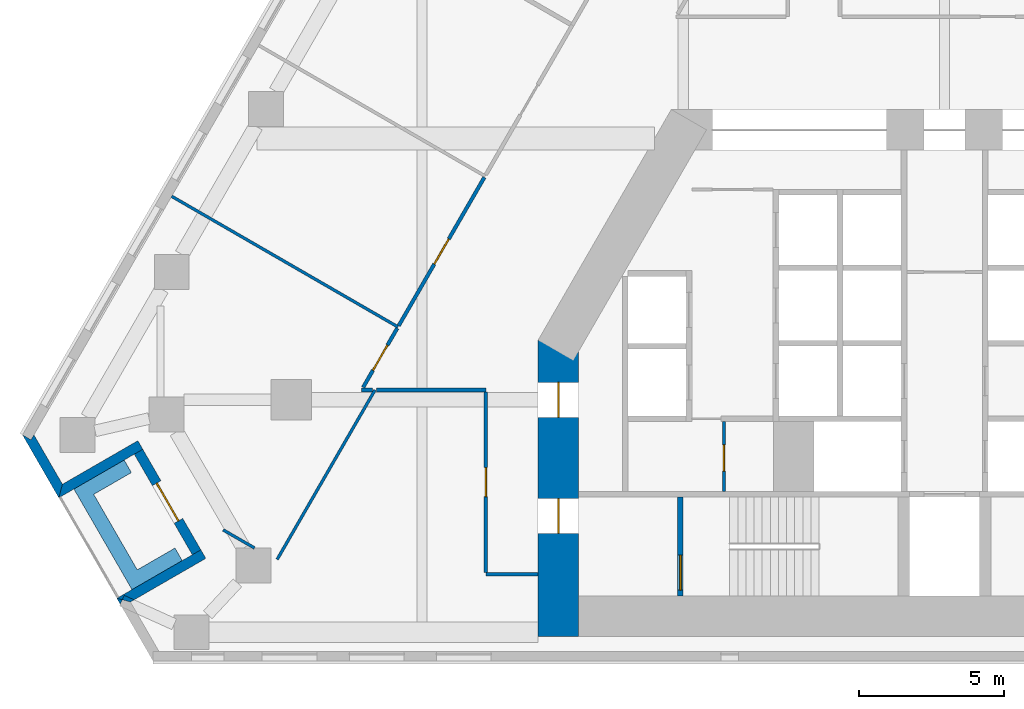
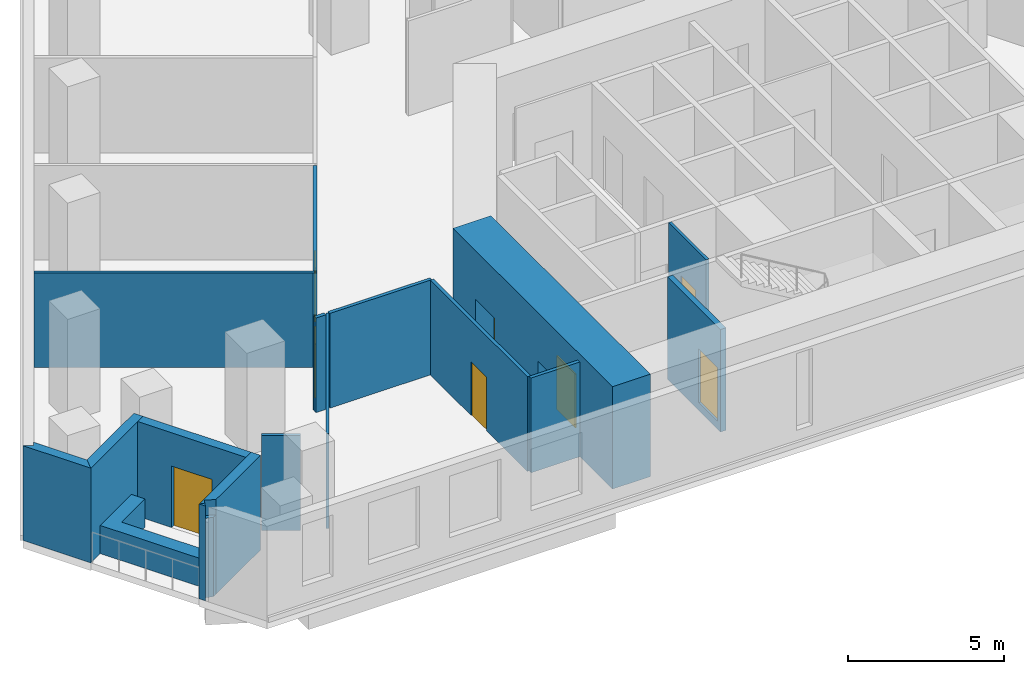
# One storey, part 3 of 11: 19 walls, 8 doors, 8 openings.
"""IFC4 building model written with IfcOpenShell, lengths in metres."""

from ifc_helpers import new_model, si_unit, direction, frame, frame_2d, origin, place, context, subcontext, project, spatial, polyline, rectangle, outline, extrude, material, layer, layer_set, type_object, element, fill, save


model = new_model("IFC4")

# Units and contexts
model_context = context("Model", 3, precision=1e-05, world=origin(), true_north=direction((0.0, 1.0)))
body_context = subcontext(model_context, "Body", "Model", "MODEL_VIEW")
ifc_project = project(units=[si_unit("LENGTHUNIT", "METRE"), si_unit("AREAUNIT", "SQUARE_METRE"), si_unit("VOLUMEUNIT", "CUBIC_METRE"), si_unit("PLANEANGLEUNIT", "RADIAN"), si_unit("MASSUNIT", "GRAM", prefix="KILO")], contexts=[model_context])

# Site, building, storey
site_placement = place(None, origin())
site = spatial("IfcSite", under=ifc_project, at=site_placement, CompositionType="ELEMENT")
building_placement = place(site_placement, origin())
building = spatial("IfcBuilding", under=site, at=building_placement, Name="Fogline Exchange Tower", CompositionType="ELEMENT")
storey_placement = place(building_placement, frame((0.0, 0.0, 52.89990234375)))
storey = spatial("IfcBuildingStorey", under=building, at=storey_placement, Name="L10", CompositionType="ELEMENT", Elevation=52.89990234375)

# Wall, opening, door
ifc_material_1 = material(Name="Blockwork partition", Category="masonry")
ifc_layer_1 = layer(ifc_material_1, 0.10009765625)
ifc_layer_set_1 = layer_set([ifc_layer_1], Name="CW10")
wall_type_1 = type_object("IfcWallType", Name="CW10", PredefinedType="PARTITIONING", material=ifc_layer_set_1)
wall_1_placement = place(storey_placement, frame((-7.60009765625, 5.85009765625, 0.0), z_axis=(0.0, 0.0, 1.0), x_axis=(0.0, 1.0, 0.0)))
wall_1 = element("IfcWall", 1, at=wall_1_placement, inside=storey, type_object=wall_type_1, Name="WC partition", PredefinedType="PARTITIONING", context=body_context, shape_type="SweptSolid", body=[
    extrude(rectangle(XDim=2.39990234375, YDim=0.10009765625, at=frame_2d((1.199951171875, 0.0))), origin(), (0.0, 0.0, 1.0), 3.7001953125),
])
opening_1_placement = place(wall_1_placement, frame((0.699951171875, 0.0, 0.0)))
opening_1 = element("IfcOpeningElement", 2, at=opening_1_placement, cuts=wall_1, Name="Opening T03-C009", PredefinedType="OPENING", context=body_context, shape_type="SweptSolid", body=[
    extrude(rectangle(XDim=0.89990234375, YDim=2.10009765625, at=frame_2d((0.449951171875, 1.050048828125))), frame((0.0, 0.06005859375, 0.0), z_axis=(0.0, -1.0, 0.0), x_axis=(1.0, 0.0, 0.0)), (0.0, 0.0, 1.0), 0.1201171875),
])
ifc_material_2 = material(Name="Steel and timber fire door", Category="steel")
door_type_1 = type_object("IfcDoorType", Name="D-CS1", OperationType="SINGLE_SWING_RIGHT", PredefinedType="DOOR", material=ifc_material_2)
door_1_placement = place(opening_1_placement, frame((0.89990234375, 0.0, 0.0), z_axis=(0.0, 0.0, 1.0), x_axis=(-1.0, 0.0, 0.0)))
door_1 = element("IfcDoor", 3, at=door_1_placement, inside=storey, type_object=door_type_1, Name="Door to Cleaner's Store", OperationType="SINGLE_SWING_RIGHT", OverallHeight=2.10009765625, OverallWidth=0.89990234375, PredefinedType="DOOR", context=body_context, shape_type="SweptSolid", body=[
    extrude(rectangle(XDim=0.89990234375, YDim=2.10009765625, at=frame_2d((0.449951171875, 1.050048828125))), frame((0.0, 0.02490234375, 0.0), z_axis=(0.0, -1.0, 0.0), x_axis=(1.0, 0.0, 0.0)), (0.0, 0.0, 1.0), 0.050048828125),
])
fill(opening_1, door_1)

ifc_material_3 = material(Name="Concrete C40", Category="concrete")
ifc_layer_2 = layer(ifc_material_3, 0.199951171875)
ifc_layer_set_2 = layer_set([ifc_layer_2], Name="CW20R")
wall_type_2 = type_object("IfcWallType", Name="CW20R", PredefinedType="SOLIDWALL", material=ifc_layer_set_2)
wall_2_placement = place(storey_placement, frame((-9.10009765625, 2.25, -0.2998046875), z_axis=(0.0, 0.0, 1.0), x_axis=(0.0, 1.0, 0.0)))
wall_2 = element("IfcWall", 4, at=wall_2_placement, inside=storey, type_object=wall_type_2, Name="Stair enclosure wall", PredefinedType="SOLIDWALL", context=body_context, shape_type="SweptSolid", body=[
    extrude(rectangle(XDim=3.39990234375, YDim=0.199951171875, at=frame_2d((1.699951171875, 0.0))), origin(), (0.0, 0.0, 1.0), 4.0),
])
opening_2_placement = place(wall_2_placement, frame((0.199951171875, 0.0, 0.300048828125)))
opening_2 = element("IfcOpeningElement", 5, at=opening_2_placement, cuts=wall_2, Name="Opening T03-C011", PredefinedType="OPENING", context=body_context, shape_type="SweptSolid", body=[
    extrude(rectangle(XDim=1.199951171875, YDim=2.10009765625, at=frame_2d((0.60009765625, 1.050048828125))), frame((0.0, 0.10986328125, 0.0), z_axis=(0.0, -1.0, 0.0), x_axis=(1.0, 0.0, 0.0)), (0.0, 0.0, 1.0), 0.219970703125),
])
door_type_2 = type_object("IfcDoorType", Name="D-ST1", OperationType="SINGLE_SWING_LEFT", PredefinedType="DOOR", material=ifc_material_2)
door_2_placement = place(opening_2_placement, frame((1.199951171875, 0.0, 0.0), z_axis=(0.0, 0.0, 1.0), x_axis=(-1.0, 0.0, 0.0)))
door_2 = element("IfcDoor", 6, at=door_2_placement, inside=storey, type_object=door_type_2, Name="Stair door ST1", OperationType="SINGLE_SWING_RIGHT", OverallHeight=2.10009765625, OverallWidth=1.199951171875, PredefinedType="DOOR", context=body_context, shape_type="SweptSolid", body=[
    extrude(rectangle(XDim=1.199951171875, YDim=2.10009765625, at=frame_2d((0.60009765625, 1.050048828125))), frame((0.0, 0.02490234375, 0.0), z_axis=(0.0, -1.0, 0.0), x_axis=(1.0, 0.0, 0.0)), (0.0, 0.0, 1.0), 0.050048828125),
])
fill(opening_2, door_2)

# Walls
ifc_material_4 = material(Name="Brick masonry", Category="masonry")
ifc_layer_3 = layer(ifc_material_4, 0.340087890625)
ifc_layer_set_3 = layer_set([ifc_layer_3], Name="FW1")
wall_type_3 = type_object("IfcWallType", Name="FW1", PredefinedType="SOLIDWALL", material=ifc_layer_set_3)
wall_3_placement = place(storey_placement, origin())
element("IfcWall", 7, at=wall_3_placement, inside=storey, type_object=wall_type_3, Name="Brick wall L10 SW-c1", PredefinedType="SOLIDWALL", context=body_context, shape_type="SweptSolid", body=[
    extrude(outline(polyline([(-30.505126953125, 5.6279296875), (-31.75634765625, 7.794921875), (-31.755859375, 7.79541015625), (-31.4609375, 7.625), (-31.362548828125, 7.79541015625), (-30.380126953125, 6.09375), (-30.5048828125, 5.6279296875), (-30.505126953125, 5.6279296875)])), origin(), (0.0, 0.0, 1.0), 3.7001953125),
])
wall_4_placement = place(storey_placement, origin())
element("IfcWall", 8, at=wall_4_placement, inside=storey, type_object=wall_type_3, Name="Brick wall L10 SW-s1", PredefinedType="SOLIDWALL", context=body_context, shape_type="SweptSolid", body=[
    extrude(outline(polyline([(-27.782470703125, 7.594482421875), (-27.61181640625, 7.298828125), (-27.90673828125, 7.128662109375), (-30.505859375, 5.628173828125), (-30.506103515625, 5.62841796875), (-30.38134765625, 6.093994140625), (-27.782470703125, 7.594482421875)])), origin(), (0.0, 0.0, 1.0), 3.7001953125),
])

# Wall, opening, door
wall_5_placement = place(storey_placement, frame((-27.760009765625, 7.214111328125, 0.0), z_axis=(0.0, 0.0, 1.0), x_axis=(0.49999894854, -0.866026010844, 0.0)))
wall_5 = element("IfcWall", 9, at=wall_5_placement, inside=storey, type_object=wall_type_3, Name="Brick wall L10 SW-bk", PredefinedType="SOLIDWALL", context=body_context, shape_type="SweptSolid", body=[
    extrude(rectangle(XDim=4.0, YDim=0.340087890625, at=frame_2d((2.0, 0.0))), origin(), (0.0, 0.0, 1.0), 3.7001953125),
])
opening_3_placement = place(wall_5_placement, frame((1.25, 0.0, 0.0)))
opening_3 = element("IfcOpeningElement", 10, at=opening_3_placement, cuts=wall_5, Name="Opening T03-E021", PredefinedType="OPENING", context=body_context, shape_type="SweptSolid", body=[
    extrude(rectangle(XDim=1.5, YDim=2.39990234375, at=frame_2d((0.75, 1.199951171875))), frame((0.0, 0.18017578125, 0.0), z_axis=(0.0, -1.0, 0.0), x_axis=(1.0, 0.0, 0.0)), (0.0, 0.0, 1.0), 0.360107421875),
])
ifc_material_5 = material(Name="Aluminium and glass", Category="aluminium")
door_type_3 = type_object("IfcDoorType", Name="ED4", OperationType="SINGLE_SWING_LEFT", PredefinedType="DOOR", material=ifc_material_5)
door_3_placement = place(opening_3_placement, frame((1.5, 0.0, 0.0), z_axis=(0.0, 0.0, 1.0), x_axis=(-1.0, 0.0, 0.0)))
door_3 = element("IfcDoor", 11, at=door_3_placement, inside=storey, type_object=door_type_3, Name="Balcony door L10 SW", OperationType="DOUBLE_DOOR_SINGLE_SWING", OverallHeight=2.39990234375, OverallWidth=1.5, PredefinedType="DOOR", context=body_context, shape_type="SweptSolid", body=[
    extrude(rectangle(XDim=1.5, YDim=2.39990234375, at=frame_2d((0.75, 1.199951171875))), frame((0.0, 0.02490234375, 0.0), z_axis=(0.0, -1.0, 0.0), x_axis=(1.0, 0.0, 0.0)), (0.0, 0.0, 1.0), 0.050048828125),
])
fill(opening_3, door_3)

# Walls
wall_6_placement = place(storey_placement, origin())
element("IfcWall", 12, at=wall_6_placement, inside=storey, type_object=wall_type_3, Name="Brick wall L10 SW-s2", PredefinedType="SOLIDWALL", context=body_context, shape_type="SweptSolid", body=[
    extrude(outline(polyline([(-28.040771484375, 2.0400390625), (-28.321044921875, 2.114990234375), (-28.25146484375, 2.2685546875), (-27.911376953125, 2.11474609375), (-28.040771484375, 2.0400390625)])), origin(), (0.0, 0.0, 1.0), 3.10009765625),
])
wall_7_placement = place(storey_placement, origin())
element("IfcWall", 13, at=wall_7_placement, inside=storey, type_object=wall_type_3, Name="Brick wall L10 SW-s2", PredefinedType="SOLIDWALL", context=body_context, shape_type="SweptSolid", body=[
    extrude(outline(polyline([(-25.907470703125, 3.66552734375), (-25.612548828125, 3.8359375), (-25.44189453125, 3.540283203125), (-27.911376953125, 2.11474609375), (-28.25146484375, 2.2685546875), (-28.321044921875, 2.114990234375), (-28.50634765625, 2.164794921875), (-28.50634765625, 2.1650390625), (-25.907470703125, 3.66552734375)])), origin(), (0.0, 0.0, 1.0), 3.7001953125),
])
wall_8_placement = place(storey_placement, origin())
element("IfcWall", 14, at=wall_8_placement, inside=storey, type_object=wall_type_3, Name="Brick wall L10 SW-c2", PredefinedType="SOLIDWALL", context=body_context, shape_type="SweptSolid", body=[
    extrude(outline(polyline([(-28.50634765625, 2.165771484375), (-28.506103515625, 2.166015625), (-28.3203125, 2.1162109375), (-28.389404296875, 1.96337890625), (-28.50634765625, 2.165771484375)])), origin(), (0.0, 0.0, 1.0), 3.7001953125),
])
ifc_material_6 = material(Name="Concrete C30", Category="concrete")
ifc_layer_4 = layer(ifc_material_6, 0.199951171875)
ifc_layer_set_4 = layer_set([ifc_layer_4], Name="PL1")
wall_type_4 = type_object("IfcWallType", Name="PL1", PredefinedType="USERDEFINED", material=ifc_layer_set_4)
wall_9_placement = place(storey_placement, origin())
element("IfcWall", 15, at=wall_9_placement, inside=storey, type_object=wall_type_4, Name="PLANTER balcony L10 SW", ObjectType="PLANTER", PredefinedType="USERDEFINED", context=body_context, shape_type="SweptSolid", body=[
    extrude(outline(polyline([(-26.503662109375, 3.898193359375), (-27.802490234375, 3.148193359375), (-29.302490234375, 5.74609375), (-28.003662109375, 6.49609375), (-28.253662109375, 6.92919921875), (-29.985595703125, 5.92919921875), (-29.735595703125, 5.49609375), (-27.985595703125, 2.465087890625), (-27.552490234375, 2.715087890625), (-27.552490234375, 2.715087890625), (-26.253662109375, 3.465087890625), (-26.503662109375, 3.898193359375)])), origin(), (0.0, 0.0, 1.0), 1.10009765625),
])
ifc_material_7 = material(Name="Plasterboard partition, 2 layers each side on steel studs", Category="steel")
ifc_layer_5 = layer(ifc_material_7, 0.10009765625)
ifc_layer_set_5 = layer_set([ifc_layer_5], Name="PW1")
wall_type_5 = type_object("IfcWallType", Name="PW1", PredefinedType="PARTITIONING", material=ifc_layer_set_5)
wall_10_placement = place(storey_placement, frame((-18.823974609375, 11.51171875, 0.0), z_axis=(0.0, 0.0, 1.0), x_axis=(-0.866024315419, 0.5000018851, 0.0)))
element("IfcWall", 16, at=wall_10_placement, inside=storey, type_object=wall_type_5, Name="wall-L10-W052", PredefinedType="PARTITIONING", context=body_context, shape_type="SweptSolid", body=[
    extrude(rectangle(XDim=9.0, YDim=0.10009765625, at=frame_2d((4.5, 0.0))), origin(), (0.0, 0.0, 1.0), 3.7001953125),
])
wall_11_placement = place(storey_placement, frame((-19.615966796875, 9.340087890625, 0.0), z_axis=(0.0, 0.0, 1.0), x_axis=(-0.500013134444, -0.866017820477, 0.0)))
element("IfcWall", 17, at=wall_11_placement, inside=storey, type_object=wall_type_5, Name="wall-L10-W053", PredefinedType="PARTITIONING", context=body_context, shape_type="SweptSolid", body=[
    extrude(rectangle(XDim=6.737060546875, YDim=0.10009765625, at=frame_2d((3.36865234375, 0.0))), origin(), (0.0, 0.0, 1.0), 3.7001953125),
])
wall_12_placement = place(storey_placement, frame((-23.765869140625, 3.89892578125, 0.0), z_axis=(0.0, 0.0, 1.0), x_axis=(-0.865963302823, 0.500107546598, 0.0)))
element("IfcWall", 18, at=wall_12_placement, inside=storey, type_object=wall_type_5, Name="wall-L10-W054", PredefinedType="PARTITIONING", context=body_context, shape_type="SweptSolid", body=[
    extrude(rectangle(XDim=1.243896484375, YDim=0.10009765625, at=frame_2d((0.6220703125, 0.0))), origin(), (0.0, 0.0, 1.0), 3.7001953125),
])
ifc_material_8 = material(Name="Plasterboard corridor partition with mineral wool, 2 layers each side")
ifc_layer_6 = layer(ifc_material_8, 0.125)
ifc_layer_set_6 = layer_set([ifc_layer_6], Name="PW2")
wall_type_6 = type_object("IfcWallType", Name="PW2", PredefinedType="PARTITIONING", material=ifc_layer_set_6)
wall_13_placement = place(storey_placement, frame((-14.0, 3.0, 0.0), z_axis=(0.0, 0.0, 1.0), x_axis=(-1.0, 0.0, 0.0)))
element("IfcWall", 19, at=wall_13_placement, inside=storey, type_object=wall_type_6, Name="wall-L10-W008", PredefinedType="PARTITIONING", context=body_context, shape_type="SweptSolid", body=[
    extrude(rectangle(XDim=1.800048828125, YDim=0.125, at=frame_2d((0.89990234375, 0.0))), origin(), (0.0, 0.0, 1.0), 3.7001953125),
])

# Wall, opening, door
wall_14_placement = place(storey_placement, frame((-15.800048828125, 3.0625, 0.0), z_axis=(0.0, 0.0, 1.0), x_axis=(0.0, 1.0, 0.0)))
wall_14 = element("IfcWall", 20, at=wall_14_placement, inside=storey, type_object=wall_type_6, Name="wall-L10-W009", PredefinedType="PARTITIONING", context=body_context, shape_type="SweptSolid", body=[
    extrude(rectangle(XDim=6.215087890625, YDim=0.125, at=frame_2d((3.107421875, 0.0))), origin(), (0.0, 0.0, 1.0), 3.7001953125),
])
opening_4_placement = place(wall_14_placement, frame((2.607421875, 0.0, 0.0)))
opening_4 = element("IfcOpeningElement", 21, at=opening_4_placement, cuts=wall_14, Name="Opening T03-D004", PredefinedType="OPENING", context=body_context, shape_type="SweptSolid", body=[
    extrude(rectangle(XDim=1.0, YDim=2.10009765625, at=frame_2d((0.5, 1.050048828125))), frame((0.0, 0.072509765625, 0.0), z_axis=(0.0, -1.0, 0.0), x_axis=(1.0, 0.0, 0.0)), (0.0, 0.0, 1.0), 0.14501953125),
])
ifc_material_9 = material(Name="Fire-rated timber door leaf with steel frame", Category="steel")
door_type_4 = type_object("IfcDoorType", Name="D3", OperationType="SINGLE_SWING_LEFT", PredefinedType="DOOR", material=ifc_material_9)
door_4_placement = place(opening_4_placement, origin())
door_4 = element("IfcDoor", 22, at=door_4_placement, inside=storey, type_object=door_type_4, Name="door-L10-D004", OperationType="SINGLE_SWING_LEFT", OverallHeight=2.10009765625, OverallWidth=1.0, PredefinedType="DOOR", context=body_context, shape_type="SweptSolid", body=[
    extrude(rectangle(XDim=1.0, YDim=2.10009765625, at=frame_2d((0.5, 1.050048828125))), frame((0.0, 0.02490234375, 0.0), z_axis=(0.0, -1.0, 0.0), x_axis=(1.0, 0.0, 0.0)), (0.0, 0.0, 1.0), 0.050048828125),
])
fill(opening_4, door_4)

wall_15_placement = place(storey_placement, frame((-18.798583984375, 11.555419921875, 0.0), z_axis=(0.0, 0.0, 1.0), x_axis=(0.499949350311, 0.866054644421, 0.0)))
wall_15 = element("IfcWall", 23, at=wall_15_placement, inside=storey, type_object=wall_type_6, Name="wall-L10-W024", PredefinedType="PARTITIONING", context=body_context, shape_type="SweptSolid", body=[
    extrude(rectangle(XDim=5.89892578125, YDim=0.125, at=frame_2d((2.949462890625, 0.0))), origin(), (0.0, 0.0, 1.0), 3.7001953125),
])
opening_5_placement = place(wall_15_placement, frame((2.449462890625, 0.0, 0.0)))
opening_5 = element("IfcOpeningElement", 24, at=opening_5_placement, cuts=wall_15, Name="Opening T03-D014", PredefinedType="OPENING", context=body_context, shape_type="SweptSolid", body=[
    extrude(rectangle(XDim=1.0, YDim=2.10009765625, at=frame_2d((0.5, 1.050048828125))), frame((0.0, 0.072509765625, 0.0), z_axis=(0.0, -1.0, 0.0), x_axis=(1.0, 0.0, 0.0)), (0.0, 0.0, 1.0), 0.14501953125),
])
door_5_placement = place(opening_5_placement, origin())
door_5 = element("IfcDoor", 25, at=door_5_placement, inside=storey, type_object=door_type_4, Name="door-L10-D014", OperationType="SINGLE_SWING_LEFT", OverallHeight=2.10009765625, OverallWidth=1.0, PredefinedType="DOOR", context=body_context, shape_type="SweptSolid", body=[
    extrude(rectangle(XDim=1.0, YDim=2.10009765625, at=frame_2d((0.5, 1.050048828125))), frame((0.0, 0.02490234375, 0.0), z_axis=(0.0, -1.0, 0.0), x_axis=(1.0, 0.0, 0.0)), (0.0, 0.0, 1.0), 0.050048828125),
])
fill(opening_5, door_5)

# Wall
wall_16_placement = place(storey_placement, frame((-19.710205078125, 9.340087890625, 0.0), z_axis=(0.0, 0.0, 1.0), x_axis=(-1.0, 0.0, 0.0)))
element("IfcWall", 26, at=wall_16_placement, inside=storey, type_object=wall_type_6, Name="wall-L10-W025", PredefinedType="PARTITIONING", context=body_context, shape_type="SweptSolid", body=[
    extrude(rectangle(XDim=0.36767578125, YDim=0.125, at=frame_2d((0.183837890625, 0.0))), origin(), (0.0, 0.0, 1.0), 3.7001953125),
])

# Wall, opening, door
wall_17_placement = place(storey_placement, frame((-20.0234375, 9.43408203125, 0.0), z_axis=(0.0, 0.0, 1.0), x_axis=(0.499929430274, 0.866066143401, 0.0)))
wall_17 = element("IfcWall", 27, at=wall_17_placement, inside=storey, type_object=wall_type_6, Name="wall-L10-W026", PredefinedType="PARTITIONING", context=body_context, shape_type="SweptSolid", body=[
    extrude(rectangle(XDim=2.348388671875, YDim=0.125, at=frame_2d((1.17431640625, 0.0))), origin(), (0.0, 0.0, 1.0), 3.7001953125),
])
opening_6_placement = place(wall_17_placement, frame((0.67431640625, 0.0, 0.0)))
opening_6 = element("IfcOpeningElement", 28, at=opening_6_placement, cuts=wall_17, Name="Opening T03-D015", PredefinedType="OPENING", context=body_context, shape_type="SweptSolid", body=[
    extrude(rectangle(XDim=1.0, YDim=2.10009765625, at=frame_2d((0.5, 1.050048828125))), frame((0.0, 0.072509765625, 0.0), z_axis=(0.0, -1.0, 0.0), x_axis=(1.0, 0.0, 0.0)), (0.0, 0.0, 1.0), 0.14501953125),
])
door_6_placement = place(opening_6_placement, origin())
door_6 = element("IfcDoor", 29, at=door_6_placement, inside=storey, type_object=door_type_4, Name="door-L10-D015", OperationType="SINGLE_SWING_LEFT", OverallHeight=2.10009765625, OverallWidth=1.0, PredefinedType="DOOR", context=body_context, shape_type="SweptSolid", body=[
    extrude(rectangle(XDim=1.0, YDim=2.10009765625, at=frame_2d((0.5, 1.050048828125))), frame((0.0, 0.02490234375, 0.0), z_axis=(0.0, -1.0, 0.0), x_axis=(1.0, 0.0, 0.0)), (0.0, 0.0, 1.0), 0.050048828125),
])
fill(opening_6, door_6)

# Wall
wall_18_placement = place(storey_placement, frame((-15.800048828125, 9.340087890625, 0.0), z_axis=(0.0, 0.0, 1.0), x_axis=(-1.0, 0.0, 0.0)))
element("IfcWall", 30, at=wall_18_placement, inside=storey, type_object=wall_type_6, Name="wall-L10-W027", PredefinedType="PARTITIONING", context=body_context, shape_type="SweptSolid", body=[
    extrude(rectangle(XDim=3.772216796875, YDim=0.125, at=frame_2d((1.88623046875, 0.0))), origin(), (0.0, 0.0, 1.0), 3.7001953125),
])

# Wall, openings, doors
ifc_material_10 = material(Name="Concrete C60", Category="concrete")
ifc_layer_7 = layer(ifc_material_10, 1.39990234375)
ifc_layer_set_7 = layer_set([ifc_layer_7], Name="SW01")
wall_type_7 = type_object("IfcWallType", Name="SW01", PredefinedType="SHEAR", material=ifc_layer_set_7)
wall_19_placement = place(storey_placement, frame((-13.300048828125, 11.052490234375, 0.0), z_axis=(0.0, 0.0, 1.0), x_axis=(0.0, -1.0, 0.0)))
wall_19 = element("IfcWall", 31, at=wall_19_placement, inside=storey, type_object=wall_type_7, Name="L10-W906", PredefinedType="SHEAR", context=body_context, shape_type="SweptSolid", body=[
    extrude(rectangle(XDim=10.202392578125, YDim=1.39990234375, at=frame_2d((5.10107421875, 0.0))), origin(), (0.0, 0.0, 1.0), 4.0),
])
opening_7_placement = place(wall_19_placement, frame((5.45263671875, 0.0, 0.0)))
opening_7 = element("IfcOpeningElement", 32, at=opening_7_placement, cuts=wall_19, Name="Opening T03-C010", PredefinedType="OPENING", context=body_context, shape_type="SweptSolid", body=[
    extrude(rectangle(XDim=1.199951171875, YDim=2.10009765625, at=frame_2d((0.60009765625, 1.050048828125))), frame((0.0, 0.7099609375, 0.0), z_axis=(0.0, -1.0, 0.0), x_axis=(1.0, 0.0, 0.0)), (0.0, 0.0, 1.0), 1.419921875),
])
opening_8_placement = place(wall_19_placement, frame((1.45263671875, 0.0, 0.0)))
opening_8 = element("IfcOpeningElement", 33, at=opening_8_placement, cuts=wall_19, Name="Opening T03-C012", PredefinedType="OPENING", context=body_context, shape_type="SweptSolid", body=[
    extrude(rectangle(XDim=1.199951171875, YDim=2.10009765625, at=frame_2d((0.60009765625, 1.050048828125))), frame((0.0, 0.7099609375, 0.0), z_axis=(0.0, -1.0, 0.0), x_axis=(1.0, 0.0, 0.0)), (0.0, 0.0, 1.0), 1.419921875),
])
door_type_5 = type_object("IfcDoorType", Name="D-FR1", OperationType="SINGLE_SWING_RIGHT", PredefinedType="DOOR", material=ifc_material_2)
door_7_placement = place(opening_7_placement, origin())
door_7 = element("IfcDoor", 34, at=door_7_placement, inside=storey, type_object=door_type_5, Name="Front room door ST1", OperationType="SINGLE_SWING_LEFT", OverallHeight=2.10009765625, OverallWidth=1.199951171875, PredefinedType="DOOR", context=body_context, shape_type="SweptSolid", body=[
    extrude(rectangle(XDim=1.199951171875, YDim=2.10009765625, at=frame_2d((0.60009765625, 1.050048828125))), frame((0.0, 0.02490234375, 0.0), z_axis=(0.0, -1.0, 0.0), x_axis=(1.0, 0.0, 0.0)), (0.0, 0.0, 1.0), 0.050048828125),
])
fill(opening_7, door_7)
door_type_6 = type_object("IfcDoorType", Name="D-SV1", OperationType="SINGLE_SWING_LEFT", PredefinedType="DOOR", material=ifc_material_2)
door_8_placement = place(opening_8_placement, origin())
door_8 = element("IfcDoor", 35, at=door_8_placement, inside=storey, type_object=door_type_6, Name="Service door W", OperationType="SINGLE_SWING_LEFT", OverallHeight=2.10009765625, OverallWidth=1.199951171875, PredefinedType="DOOR", context=body_context, shape_type="SweptSolid", body=[
    extrude(rectangle(XDim=1.199951171875, YDim=2.10009765625, at=frame_2d((0.60009765625, 1.050048828125))), frame((0.0, 0.02490234375, 0.0), z_axis=(0.0, -1.0, 0.0), x_axis=(1.0, 0.0, 0.0)), (0.0, 0.0, 1.0), 0.050048828125),
])
fill(opening_8, door_8)

save(model, "model.ifc")
